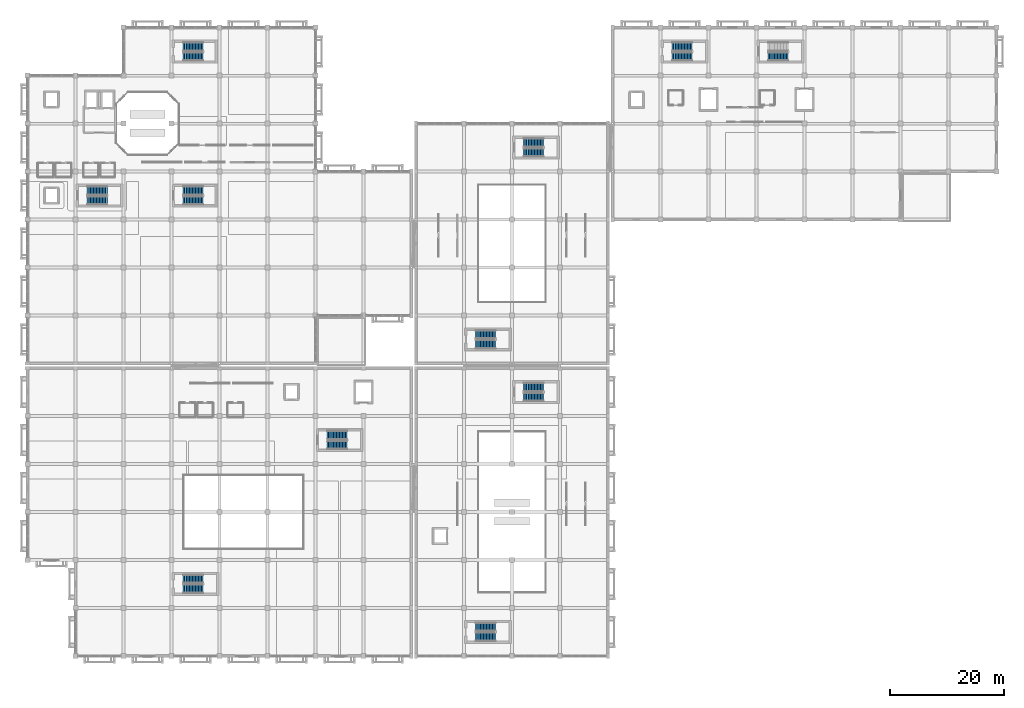
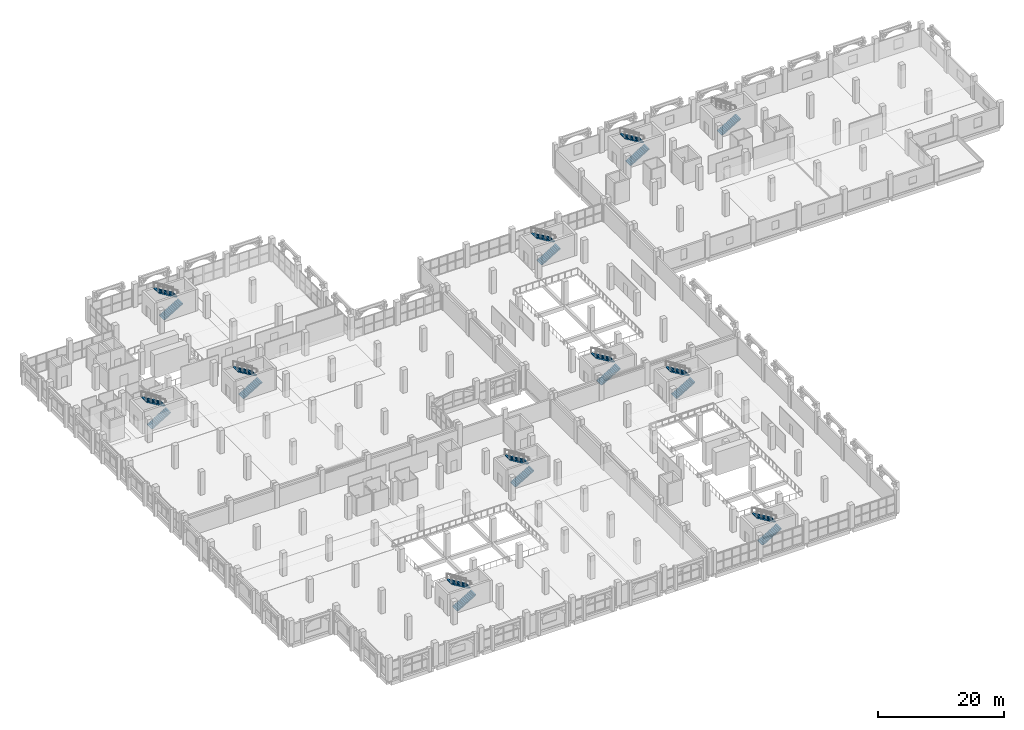
# One storey, part 120 of 137: 21 stair flights, 11 elements without a shape of their own.
"""IFC4 building model written with IfcOpenShell, lengths in metres."""

from ifc_helpers import new_model, si_unit, direction, frame, origin, place, context, subcontext, project, spatial, polyline, outline, extrude, material, type_object, element, aggregate, save


model = new_model("IFC4")

# Units and contexts
model_context = context("Model", 3, precision=1e-05, world=origin(), true_north=direction((0.0, 1.0)))
body_context = subcontext(model_context, "Body", "Model", "MODEL_VIEW")
ifc_project = project(units=[si_unit("LENGTHUNIT", "METRE"), si_unit("AREAUNIT", "SQUARE_METRE"), si_unit("VOLUMEUNIT", "CUBIC_METRE"), si_unit("PLANEANGLEUNIT", "RADIAN"), si_unit("MASSUNIT", "GRAM", prefix="KILO")], contexts=[model_context])

# Site, building, storey
site_placement = place(None, origin())
site = spatial("IfcSite", under=ifc_project, at=site_placement, CompositionType="ELEMENT")
building_placement = place(site_placement, origin())
building = spatial("IfcBuilding", under=site, at=building_placement, Name="Xazarin Passage Department Store", CompositionType="ELEMENT")
storey_placement = place(building_placement, frame((0.0, 0.0, 5.39990234375)))
storey = spatial("IfcBuildingStorey", under=building, at=storey_placement, Name="L01", CompositionType="ELEMENT", Elevation=5.39990234375)

# Stair, stair flights
ifc_material = material(Name="Concrete C35/45", Category="concrete")
stair_type = type_object("IfcStairType", Name="ARC-ST-TYP", PredefinedType="HALF_TURN_STAIR", material=ifc_material)
stair_1_placement = place(storey_placement, origin())
stair_1 = element("IfcStair", 1, at=stair_1_placement, inside=storey, type_object=stair_type, Name="L01 Exit Stair ST1", PredefinedType="HALF_TURN_STAIR")
stair_flight_type = type_object("IfcStairFlightType", Name="ARC-SFL-TYP", PredefinedType="STRAIGHT", material=ifc_material)
stair_flight_1_placement = place(storey_placement, frame((10.43994140625, 79.739990234375, 0.0), z_axis=(0.0, 0.0, 1.0), x_axis=(1.0, 0.0, 0.0)))
stair_flight_1 = element("IfcStairFlight", 2, at=stair_flight_1_placement, type_object=stair_flight_type, Name="ST1 flight 1", NumberOfRisers=14, NumberOfTreads=13, PredefinedType="STRAIGHT", RiserHeight=0.160714286, TreadLength=0.27, context=body_context, shape_type="SweptSolid", body=[
    extrude(outline(polyline([(0.0, 0.0), (0.0, 0.16064453125), (0.27001953125, 0.16064453125), (0.27001953125, 0.321533203125), (0.5400390625, 0.321533203125), (0.5400390625, 0.482177734375), (0.81005859375, 0.482177734375), (0.81005859375, 0.642822265625), (1.080078125, 0.642822265625), (1.080078125, 0.803466796875), (1.35009765625, 0.803466796875), (1.35009765625, 0.96435546875), (1.6201171875, 0.96435546875), (1.6201171875, 1.125), (1.889892578125, 1.125), (1.889892578125, 1.28564453125), (2.159912109375, 1.28564453125), (2.159912109375, 1.446533203125), (2.429931640625, 1.446533203125), (2.429931640625, 1.607177734375), (2.699951171875, 1.607177734375), (2.699951171875, 1.767822265625), (2.969970703125, 1.767822265625), (2.969970703125, 1.928466796875), (3.239990234375, 1.928466796875), (3.239990234375, 2.08935546875), (3.510009765625, 2.08935546875), (3.510009765625, 2.25), (3.510009765625, 1.903076171875), (0.312744140625, 0.0), (0.0, 0.0)])), frame((0.0, 0.760009765625, 0.0), z_axis=(0.0, -1.0, 0.0), x_axis=(1.0, 0.0, 0.0)), (0.0, 0.0, 1.0), 1.52001953125),
])
stair_flight_2_placement = place(storey_placement, frame((13.949951171875, 81.4599609375, 2.25), z_axis=(0.0, 0.0, 1.0), x_axis=(-1.0, 0.0, 0.0)))
stair_flight_2 = element("IfcStairFlight", 3, at=stair_flight_2_placement, type_object=stair_flight_type, Name="ST1 flight 2", NumberOfRisers=14, NumberOfTreads=13, PredefinedType="STRAIGHT", RiserHeight=0.160714286, TreadLength=0.27, context=body_context, shape_type="SweptSolid", body=[
    extrude(outline(polyline([(0.0, 0.0), (0.0, 0.16064453125), (0.27001953125, 0.16064453125), (0.27001953125, 0.321533203125), (0.5400390625, 0.321533203125), (0.5400390625, 0.482177734375), (0.81005859375, 0.482177734375), (0.81005859375, 0.642822265625), (1.080078125, 0.642822265625), (1.080078125, 0.803466796875), (1.35009765625, 0.803466796875), (1.35009765625, 0.96435546875), (1.6201171875, 0.96435546875), (1.6201171875, 1.125), (1.889892578125, 1.125), (1.889892578125, 1.28564453125), (2.159912109375, 1.28564453125), (2.159912109375, 1.446533203125), (2.429931640625, 1.446533203125), (2.429931640625, 1.607177734375), (2.699951171875, 1.607177734375), (2.699951171875, 1.767822265625), (2.969970703125, 1.767822265625), (2.969970703125, 1.928466796875), (3.239990234375, 1.928466796875), (3.239990234375, 2.08935546875), (3.510009765625, 2.08935546875), (3.510009765625, 2.25), (3.510009765625, 1.903076171875), (0.312744140625, 0.0), (0.0, 0.0)])), frame((0.0, 0.760009765625, 0.0), z_axis=(0.0, -1.0, 0.0), x_axis=(1.0, 0.0, 0.0)), (0.0, 0.0, 1.0), 1.52001953125),
])
aggregate(stair_1, [stair_flight_1, stair_flight_2])

stair_2_placement = place(storey_placement, origin())
stair_2 = element("IfcStair", 4, at=stair_2_placement, inside=storey, type_object=stair_type, Name="L01 Exit Stair ST2", PredefinedType="HALF_TURN_STAIR")
stair_flight_3_placement = place(storey_placement, frame((27.239990234375, 104.93994140625, 0.0), z_axis=(0.0, 0.0, 1.0), x_axis=(1.0, 0.0, 0.0)))
stair_flight_3 = element("IfcStairFlight", 5, at=stair_flight_3_placement, type_object=stair_flight_type, Name="ST2 flight 1", NumberOfRisers=14, NumberOfTreads=13, PredefinedType="STRAIGHT", RiserHeight=0.160714286, TreadLength=0.27, context=body_context, shape_type="SweptSolid", body=[
    extrude(outline(polyline([(0.0, 0.0), (0.0, 0.16064453125), (0.27001953125, 0.16064453125), (0.27001953125, 0.321533203125), (0.5400390625, 0.321533203125), (0.5400390625, 0.482177734375), (0.81005859375, 0.482177734375), (0.81005859375, 0.642822265625), (1.080078125, 0.642822265625), (1.080078125, 0.803466796875), (1.35009765625, 0.803466796875), (1.35009765625, 0.96435546875), (1.6201171875, 0.96435546875), (1.6201171875, 1.125), (1.889892578125, 1.125), (1.889892578125, 1.28564453125), (2.159912109375, 1.28564453125), (2.159912109375, 1.446533203125), (2.429931640625, 1.446533203125), (2.429931640625, 1.607177734375), (2.699951171875, 1.607177734375), (2.699951171875, 1.767822265625), (2.969970703125, 1.767822265625), (2.969970703125, 1.928466796875), (3.239990234375, 1.928466796875), (3.239990234375, 2.08935546875), (3.510009765625, 2.08935546875), (3.510009765625, 2.25), (3.510009765625, 1.903076171875), (0.312744140625, 0.0), (0.0, 0.0)])), frame((0.0, 0.760009765625, 0.0), z_axis=(0.0, -1.0, 0.0), x_axis=(1.0, 0.0, 0.0)), (0.0, 0.0, 1.0), 1.52001953125),
])
stair_flight_4_placement = place(storey_placement, frame((30.75, 106.659912109375, 2.25), z_axis=(0.0, 0.0, 1.0), x_axis=(-1.0, 0.0, 0.0)))
stair_flight_4 = element("IfcStairFlight", 6, at=stair_flight_4_placement, type_object=stair_flight_type, Name="ST2 flight 2", NumberOfRisers=14, NumberOfTreads=13, PredefinedType="STRAIGHT", RiserHeight=0.160714286, TreadLength=0.27, context=body_context, shape_type="SweptSolid", body=[
    extrude(outline(polyline([(0.0, 0.0), (0.0, 0.16064453125), (0.27001953125, 0.16064453125), (0.27001953125, 0.321533203125), (0.5400390625, 0.321533203125), (0.5400390625, 0.482177734375), (0.81005859375, 0.482177734375), (0.81005859375, 0.642822265625), (1.080078125, 0.642822265625), (1.080078125, 0.803466796875), (1.35009765625, 0.803466796875), (1.35009765625, 0.96435546875), (1.6201171875, 0.96435546875), (1.6201171875, 1.125), (1.889892578125, 1.125), (1.889892578125, 1.28564453125), (2.159912109375, 1.28564453125), (2.159912109375, 1.446533203125), (2.429931640625, 1.446533203125), (2.429931640625, 1.607177734375), (2.699951171875, 1.607177734375), (2.699951171875, 1.767822265625), (2.969970703125, 1.767822265625), (2.969970703125, 1.928466796875), (3.239990234375, 1.928466796875), (3.239990234375, 2.08935546875), (3.510009765625, 2.08935546875), (3.510009765625, 2.25), (3.510009765625, 1.903076171875), (0.312744140625, 0.0), (0.0, 0.0)])), frame((0.0, 0.760009765625, 0.0), z_axis=(0.0, -1.0, 0.0), x_axis=(1.0, 0.0, 0.0)), (0.0, 0.0, 1.0), 1.52001953125),
])
aggregate(stair_2, [stair_flight_3, stair_flight_4])

stair_3_placement = place(storey_placement, origin())
stair_3 = element("IfcStair", 7, at=stair_3_placement, inside=storey, type_object=stair_type, Name="L01 Exit Stair ST3", PredefinedType="HALF_TURN_STAIR")
stair_flight_5_placement = place(storey_placement, frame((27.239990234375, 79.739990234375, 0.0), z_axis=(0.0, 0.0, 1.0), x_axis=(1.0, 0.0, 0.0)))
stair_flight_5 = element("IfcStairFlight", 8, at=stair_flight_5_placement, type_object=stair_flight_type, Name="ST3 flight 1", NumberOfRisers=14, NumberOfTreads=13, PredefinedType="STRAIGHT", RiserHeight=0.160714286, TreadLength=0.27, context=body_context, shape_type="SweptSolid", body=[
    extrude(outline(polyline([(0.0, 0.0), (0.0, 0.16064453125), (0.27001953125, 0.16064453125), (0.27001953125, 0.321533203125), (0.5400390625, 0.321533203125), (0.5400390625, 0.482177734375), (0.81005859375, 0.482177734375), (0.81005859375, 0.642822265625), (1.080078125, 0.642822265625), (1.080078125, 0.803466796875), (1.35009765625, 0.803466796875), (1.35009765625, 0.96435546875), (1.6201171875, 0.96435546875), (1.6201171875, 1.125), (1.889892578125, 1.125), (1.889892578125, 1.28564453125), (2.159912109375, 1.28564453125), (2.159912109375, 1.446533203125), (2.429931640625, 1.446533203125), (2.429931640625, 1.607177734375), (2.699951171875, 1.607177734375), (2.699951171875, 1.767822265625), (2.969970703125, 1.767822265625), (2.969970703125, 1.928466796875), (3.239990234375, 1.928466796875), (3.239990234375, 2.08935546875), (3.510009765625, 2.08935546875), (3.510009765625, 2.25), (3.510009765625, 1.903076171875), (0.312744140625, 0.0), (0.0, 0.0)])), frame((0.0, 0.760009765625, 0.0), z_axis=(0.0, -1.0, 0.0), x_axis=(1.0, 0.0, 0.0)), (0.0, 0.0, 1.0), 1.52001953125),
])
stair_flight_6_placement = place(storey_placement, frame((30.75, 81.4599609375, 2.25), z_axis=(0.0, 0.0, 1.0), x_axis=(-1.0, 0.0, 0.0)))
stair_flight_6 = element("IfcStairFlight", 9, at=stair_flight_6_placement, type_object=stair_flight_type, Name="ST3 flight 2", NumberOfRisers=14, NumberOfTreads=13, PredefinedType="STRAIGHT", RiserHeight=0.160714286, TreadLength=0.27, context=body_context, shape_type="SweptSolid", body=[
    extrude(outline(polyline([(0.0, 0.0), (0.0, 0.16064453125), (0.27001953125, 0.16064453125), (0.27001953125, 0.321533203125), (0.5400390625, 0.321533203125), (0.5400390625, 0.482177734375), (0.81005859375, 0.482177734375), (0.81005859375, 0.642822265625), (1.080078125, 0.642822265625), (1.080078125, 0.803466796875), (1.35009765625, 0.803466796875), (1.35009765625, 0.96435546875), (1.6201171875, 0.96435546875), (1.6201171875, 1.125), (1.889892578125, 1.125), (1.889892578125, 1.28564453125), (2.159912109375, 1.28564453125), (2.159912109375, 1.446533203125), (2.429931640625, 1.446533203125), (2.429931640625, 1.607177734375), (2.699951171875, 1.607177734375), (2.699951171875, 1.767822265625), (2.969970703125, 1.767822265625), (2.969970703125, 1.928466796875), (3.239990234375, 1.928466796875), (3.239990234375, 2.08935546875), (3.510009765625, 2.08935546875), (3.510009765625, 2.25), (3.510009765625, 1.903076171875), (0.312744140625, 0.0), (0.0, 0.0)])), frame((0.0, 0.760009765625, 0.0), z_axis=(0.0, -1.0, 0.0), x_axis=(1.0, 0.0, 0.0)), (0.0, 0.0, 1.0), 1.52001953125),
])
aggregate(stair_3, [stair_flight_5, stair_flight_6])

stair_4_placement = place(storey_placement, origin())
stair_4 = element("IfcStair", 10, at=stair_4_placement, inside=storey, type_object=stair_type, Name="L01 Exit Stair ST4", PredefinedType="HALF_TURN_STAIR")
stair_flight_7_placement = place(storey_placement, frame((78.43994140625, 3.340087890625, 0.0), z_axis=(0.0, 0.0, 1.0), x_axis=(1.0, 0.0, 0.0)))
stair_flight_7 = element("IfcStairFlight", 11, at=stair_flight_7_placement, type_object=stair_flight_type, Name="ST4 flight 1", NumberOfRisers=14, NumberOfTreads=13, PredefinedType="STRAIGHT", RiserHeight=0.160714286, TreadLength=0.27, context=body_context, shape_type="SweptSolid", body=[
    extrude(outline(polyline([(0.0, 0.0), (0.0, 0.16064453125), (0.27001953125, 0.16064453125), (0.27001953125, 0.321533203125), (0.5400390625, 0.321533203125), (0.5400390625, 0.482177734375), (0.81005859375, 0.482177734375), (0.81005859375, 0.642822265625), (1.080078125, 0.642822265625), (1.080078125, 0.803466796875), (1.35009765625, 0.803466796875), (1.35009765625, 0.96435546875), (1.6201171875, 0.96435546875), (1.6201171875, 1.125), (1.889892578125, 1.125), (1.889892578125, 1.28564453125), (2.159912109375, 1.28564453125), (2.159912109375, 1.446533203125), (2.429931640625, 1.446533203125), (2.429931640625, 1.607177734375), (2.699951171875, 1.607177734375), (2.699951171875, 1.767822265625), (2.969970703125, 1.767822265625), (2.969970703125, 1.928466796875), (3.239990234375, 1.928466796875), (3.239990234375, 2.08935546875), (3.510009765625, 2.08935546875), (3.510009765625, 2.25), (3.510009765625, 1.903076171875), (0.312744140625, 0.0), (0.0, 0.0)])), frame((0.0, 0.760009765625, 0.0), z_axis=(0.0, -1.0, 0.0), x_axis=(1.0, 0.0, 0.0)), (0.0, 0.0, 1.0), 1.52001953125),
])
stair_flight_8_placement = place(storey_placement, frame((81.949951171875, 5.06005859375, 2.25), z_axis=(0.0, 0.0, 1.0), x_axis=(-1.0, 0.0, 0.0)))
stair_flight_8 = element("IfcStairFlight", 12, at=stair_flight_8_placement, type_object=stair_flight_type, Name="ST4 flight 2", NumberOfRisers=14, NumberOfTreads=13, PredefinedType="STRAIGHT", RiserHeight=0.160714286, TreadLength=0.27, context=body_context, shape_type="SweptSolid", body=[
    extrude(outline(polyline([(0.0, 0.0), (0.0, 0.16064453125), (0.27001953125, 0.16064453125), (0.27001953125, 0.321533203125), (0.5400390625, 0.321533203125), (0.5400390625, 0.482177734375), (0.81005859375, 0.482177734375), (0.81005859375, 0.642822265625), (1.080078125, 0.642822265625), (1.080078125, 0.803466796875), (1.35009765625, 0.803466796875), (1.35009765625, 0.96435546875), (1.6201171875, 0.96435546875), (1.6201171875, 1.125), (1.889892578125, 1.125), (1.889892578125, 1.28564453125), (2.159912109375, 1.28564453125), (2.159912109375, 1.446533203125), (2.429931640625, 1.446533203125), (2.429931640625, 1.607177734375), (2.699951171875, 1.607177734375), (2.699951171875, 1.767822265625), (2.969970703125, 1.767822265625), (2.969970703125, 1.928466796875), (3.239990234375, 1.928466796875), (3.239990234375, 2.08935546875), (3.510009765625, 2.08935546875), (3.510009765625, 2.25), (3.510009765625, 1.903076171875), (0.312744140625, 0.0), (0.0, 0.0)])), frame((0.0, 0.760009765625, 0.0), z_axis=(0.0, -1.0, 0.0), x_axis=(1.0, 0.0, 0.0)), (0.0, 0.0, 1.0), 1.52001953125),
])
aggregate(stair_4, [stair_flight_7, stair_flight_8])

stair_5_placement = place(storey_placement, origin())
stair_5 = element("IfcStair", 13, at=stair_5_placement, inside=storey, type_object=stair_type, Name="L01 Exit Stair ST5", PredefinedType="HALF_TURN_STAIR")
stair_flight_9_placement = place(storey_placement, frame((86.840087890625, 45.340087890625, 0.0), z_axis=(0.0, 0.0, 1.0), x_axis=(1.0, 0.0, 0.0)))
stair_flight_9 = element("IfcStairFlight", 14, at=stair_flight_9_placement, type_object=stair_flight_type, Name="ST5 flight 1", NumberOfRisers=14, NumberOfTreads=13, PredefinedType="STRAIGHT", RiserHeight=0.160714286, TreadLength=0.27, context=body_context, shape_type="SweptSolid", body=[
    extrude(outline(polyline([(0.0, 0.0), (0.0, 0.16064453125), (0.27001953125, 0.16064453125), (0.27001953125, 0.321533203125), (0.5400390625, 0.321533203125), (0.5400390625, 0.482177734375), (0.81005859375, 0.482177734375), (0.81005859375, 0.642822265625), (1.080078125, 0.642822265625), (1.080078125, 0.803466796875), (1.35009765625, 0.803466796875), (1.35009765625, 0.96435546875), (1.6201171875, 0.96435546875), (1.6201171875, 1.125), (1.889892578125, 1.125), (1.889892578125, 1.28564453125), (2.159912109375, 1.28564453125), (2.159912109375, 1.446533203125), (2.429931640625, 1.446533203125), (2.429931640625, 1.607177734375), (2.699951171875, 1.607177734375), (2.699951171875, 1.767822265625), (2.969970703125, 1.767822265625), (2.969970703125, 1.928466796875), (3.239990234375, 1.928466796875), (3.239990234375, 2.08935546875), (3.510009765625, 2.08935546875), (3.510009765625, 2.25), (3.510009765625, 1.903076171875), (0.312744140625, 0.0), (0.0, 0.0)])), frame((0.0, 0.760009765625, 0.0), z_axis=(0.0, -1.0, 0.0), x_axis=(1.0, 0.0, 0.0)), (0.0, 0.0, 1.0), 1.52001953125),
])
stair_flight_10_placement = place(storey_placement, frame((90.35009765625, 47.06005859375, 2.25), z_axis=(0.0, 0.0, 1.0), x_axis=(-1.0, 0.0, 0.0)))
stair_flight_10 = element("IfcStairFlight", 15, at=stair_flight_10_placement, type_object=stair_flight_type, Name="ST5 flight 2", NumberOfRisers=14, NumberOfTreads=13, PredefinedType="STRAIGHT", RiserHeight=0.160714286, TreadLength=0.27, context=body_context, shape_type="SweptSolid", body=[
    extrude(outline(polyline([(0.0, 0.0), (0.0, 0.16064453125), (0.27001953125, 0.16064453125), (0.27001953125, 0.321533203125), (0.5400390625, 0.321533203125), (0.5400390625, 0.482177734375), (0.81005859375, 0.482177734375), (0.81005859375, 0.642822265625), (1.080078125, 0.642822265625), (1.080078125, 0.803466796875), (1.35009765625, 0.803466796875), (1.35009765625, 0.96435546875), (1.6201171875, 0.96435546875), (1.6201171875, 1.125), (1.889892578125, 1.125), (1.889892578125, 1.28564453125), (2.159912109375, 1.28564453125), (2.159912109375, 1.446533203125), (2.429931640625, 1.446533203125), (2.429931640625, 1.607177734375), (2.699951171875, 1.607177734375), (2.699951171875, 1.767822265625), (2.969970703125, 1.767822265625), (2.969970703125, 1.928466796875), (3.239990234375, 1.928466796875), (3.239990234375, 2.08935546875), (3.510009765625, 2.08935546875), (3.510009765625, 2.25), (3.510009765625, 1.903076171875), (0.312744140625, 0.0), (0.0, 0.0)])), frame((0.0, 0.760009765625, 0.0), z_axis=(0.0, -1.0, 0.0), x_axis=(1.0, 0.0, 0.0)), (0.0, 0.0, 1.0), 1.52001953125),
])
aggregate(stair_5, [stair_flight_9, stair_flight_10])

stair_6_placement = place(storey_placement, origin())
stair_6 = element("IfcStair", 16, at=stair_6_placement, inside=storey, type_object=stair_type, Name="L01 Exit Stair ST6", PredefinedType="HALF_TURN_STAIR")
stair_flight_11_placement = place(storey_placement, frame((78.43994140625, 54.5400390625, 0.0), z_axis=(0.0, 0.0, 1.0), x_axis=(1.0, 0.0, 0.0)))
stair_flight_11 = element("IfcStairFlight", 17, at=stair_flight_11_placement, type_object=stair_flight_type, Name="ST6 flight 1", NumberOfRisers=14, NumberOfTreads=13, PredefinedType="STRAIGHT", RiserHeight=0.160714286, TreadLength=0.27, context=body_context, shape_type="SweptSolid", body=[
    extrude(outline(polyline([(0.0, 0.0), (0.0, 0.16064453125), (0.27001953125, 0.16064453125), (0.27001953125, 0.321533203125), (0.5400390625, 0.321533203125), (0.5400390625, 0.482177734375), (0.81005859375, 0.482177734375), (0.81005859375, 0.642822265625), (1.080078125, 0.642822265625), (1.080078125, 0.803466796875), (1.35009765625, 0.803466796875), (1.35009765625, 0.96435546875), (1.6201171875, 0.96435546875), (1.6201171875, 1.125), (1.889892578125, 1.125), (1.889892578125, 1.28564453125), (2.159912109375, 1.28564453125), (2.159912109375, 1.446533203125), (2.429931640625, 1.446533203125), (2.429931640625, 1.607177734375), (2.699951171875, 1.607177734375), (2.699951171875, 1.767822265625), (2.969970703125, 1.767822265625), (2.969970703125, 1.928466796875), (3.239990234375, 1.928466796875), (3.239990234375, 2.08935546875), (3.510009765625, 2.08935546875), (3.510009765625, 2.25), (3.510009765625, 1.903076171875), (0.312744140625, 0.0), (0.0, 0.0)])), frame((0.0, 0.760009765625, 0.0), z_axis=(0.0, -1.0, 0.0), x_axis=(1.0, 0.0, 0.0)), (0.0, 0.0, 1.0), 1.52001953125),
])
stair_flight_12_placement = place(storey_placement, frame((81.949951171875, 56.260009765625, 2.25), z_axis=(0.0, 0.0, 1.0), x_axis=(-1.0, 0.0, 0.0)))
stair_flight_12 = element("IfcStairFlight", 18, at=stair_flight_12_placement, type_object=stair_flight_type, Name="ST6 flight 2", NumberOfRisers=14, NumberOfTreads=13, PredefinedType="STRAIGHT", RiserHeight=0.160714286, TreadLength=0.27, context=body_context, shape_type="SweptSolid", body=[
    extrude(outline(polyline([(0.0, 0.0), (0.0, 0.16064453125), (0.27001953125, 0.16064453125), (0.27001953125, 0.321533203125), (0.5400390625, 0.321533203125), (0.5400390625, 0.482177734375), (0.81005859375, 0.482177734375), (0.81005859375, 0.642822265625), (1.080078125, 0.642822265625), (1.080078125, 0.803466796875), (1.35009765625, 0.803466796875), (1.35009765625, 0.96435546875), (1.6201171875, 0.96435546875), (1.6201171875, 1.125), (1.889892578125, 1.125), (1.889892578125, 1.28564453125), (2.159912109375, 1.28564453125), (2.159912109375, 1.446533203125), (2.429931640625, 1.446533203125), (2.429931640625, 1.607177734375), (2.699951171875, 1.607177734375), (2.699951171875, 1.767822265625), (2.969970703125, 1.767822265625), (2.969970703125, 1.928466796875), (3.239990234375, 1.928466796875), (3.239990234375, 2.08935546875), (3.510009765625, 2.08935546875), (3.510009765625, 2.25), (3.510009765625, 1.903076171875), (0.312744140625, 0.0), (0.0, 0.0)])), frame((0.0, 0.760009765625, 0.0), z_axis=(0.0, -1.0, 0.0), x_axis=(1.0, 0.0, 0.0)), (0.0, 0.0, 1.0), 1.52001953125),
])
aggregate(stair_6, [stair_flight_11, stair_flight_12])

stair_7_placement = place(storey_placement, origin())
stair_7 = element("IfcStair", 19, at=stair_7_placement, inside=storey, type_object=stair_type, Name="L01 Exit Stair ST7", PredefinedType="HALF_TURN_STAIR")
stair_flight_13_placement = place(storey_placement, frame((86.840087890625, 88.139892578125, 0.0), z_axis=(0.0, 0.0, 1.0), x_axis=(1.0, 0.0, 0.0)))
stair_flight_13 = element("IfcStairFlight", 20, at=stair_flight_13_placement, type_object=stair_flight_type, Name="ST7 flight 1", NumberOfRisers=14, NumberOfTreads=13, PredefinedType="STRAIGHT", RiserHeight=0.160714286, TreadLength=0.27, context=body_context, shape_type="SweptSolid", body=[
    extrude(outline(polyline([(0.0, 0.0), (0.0, 0.16064453125), (0.27001953125, 0.16064453125), (0.27001953125, 0.321533203125), (0.5400390625, 0.321533203125), (0.5400390625, 0.482177734375), (0.81005859375, 0.482177734375), (0.81005859375, 0.642822265625), (1.080078125, 0.642822265625), (1.080078125, 0.803466796875), (1.35009765625, 0.803466796875), (1.35009765625, 0.96435546875), (1.6201171875, 0.96435546875), (1.6201171875, 1.125), (1.889892578125, 1.125), (1.889892578125, 1.28564453125), (2.159912109375, 1.28564453125), (2.159912109375, 1.446533203125), (2.429931640625, 1.446533203125), (2.429931640625, 1.607177734375), (2.699951171875, 1.607177734375), (2.699951171875, 1.767822265625), (2.969970703125, 1.767822265625), (2.969970703125, 1.928466796875), (3.239990234375, 1.928466796875), (3.239990234375, 2.08935546875), (3.510009765625, 2.08935546875), (3.510009765625, 2.25), (3.510009765625, 1.903076171875), (0.312744140625, 0.0), (0.0, 0.0)])), frame((0.0, 0.760009765625, 0.0), z_axis=(0.0, -1.0, 0.0), x_axis=(1.0, 0.0, 0.0)), (0.0, 0.0, 1.0), 1.52001953125),
])
stair_flight_14_placement = place(storey_placement, frame((90.35009765625, 89.860107421875, 2.25), z_axis=(0.0, 0.0, 1.0), x_axis=(-1.0, 0.0, 0.0)))
stair_flight_14 = element("IfcStairFlight", 21, at=stair_flight_14_placement, type_object=stair_flight_type, Name="ST7 flight 2", NumberOfRisers=14, NumberOfTreads=13, PredefinedType="STRAIGHT", RiserHeight=0.160714286, TreadLength=0.27, context=body_context, shape_type="SweptSolid", body=[
    extrude(outline(polyline([(0.0, 0.0), (0.0, 0.16064453125), (0.27001953125, 0.16064453125), (0.27001953125, 0.321533203125), (0.5400390625, 0.321533203125), (0.5400390625, 0.482177734375), (0.81005859375, 0.482177734375), (0.81005859375, 0.642822265625), (1.080078125, 0.642822265625), (1.080078125, 0.803466796875), (1.35009765625, 0.803466796875), (1.35009765625, 0.96435546875), (1.6201171875, 0.96435546875), (1.6201171875, 1.125), (1.889892578125, 1.125), (1.889892578125, 1.28564453125), (2.159912109375, 1.28564453125), (2.159912109375, 1.446533203125), (2.429931640625, 1.446533203125), (2.429931640625, 1.607177734375), (2.699951171875, 1.607177734375), (2.699951171875, 1.767822265625), (2.969970703125, 1.767822265625), (2.969970703125, 1.928466796875), (3.239990234375, 1.928466796875), (3.239990234375, 2.08935546875), (3.510009765625, 2.08935546875), (3.510009765625, 2.25), (3.510009765625, 1.903076171875), (0.312744140625, 0.0), (0.0, 0.0)])), frame((0.0, 0.760009765625, 0.0), z_axis=(0.0, -1.0, 0.0), x_axis=(1.0, 0.0, 0.0)), (0.0, 0.0, 1.0), 1.52001953125),
])
aggregate(stair_7, [stair_flight_13, stair_flight_14])

stair_8_placement = place(storey_placement, origin())
stair_8 = element("IfcStair", 22, at=stair_8_placement, inside=storey, type_object=stair_type, Name="L01 Exit Stair ST8", PredefinedType="HALF_TURN_STAIR")
stair_flight_15_placement = place(storey_placement, frame((27.239990234375, 11.739990234375, 0.0), z_axis=(0.0, 0.0, 1.0), x_axis=(1.0, 0.0, 0.0)))
stair_flight_15 = element("IfcStairFlight", 23, at=stair_flight_15_placement, type_object=stair_flight_type, Name="ST8 flight 1", NumberOfRisers=14, NumberOfTreads=13, PredefinedType="STRAIGHT", RiserHeight=0.160714286, TreadLength=0.27, context=body_context, shape_type="SweptSolid", body=[
    extrude(outline(polyline([(0.0, 0.0), (0.0, 0.16064453125), (0.27001953125, 0.16064453125), (0.27001953125, 0.321533203125), (0.5400390625, 0.321533203125), (0.5400390625, 0.482177734375), (0.81005859375, 0.482177734375), (0.81005859375, 0.642822265625), (1.080078125, 0.642822265625), (1.080078125, 0.803466796875), (1.35009765625, 0.803466796875), (1.35009765625, 0.96435546875), (1.6201171875, 0.96435546875), (1.6201171875, 1.125), (1.889892578125, 1.125), (1.889892578125, 1.28564453125), (2.159912109375, 1.28564453125), (2.159912109375, 1.446533203125), (2.429931640625, 1.446533203125), (2.429931640625, 1.607177734375), (2.699951171875, 1.607177734375), (2.699951171875, 1.767822265625), (2.969970703125, 1.767822265625), (2.969970703125, 1.928466796875), (3.239990234375, 1.928466796875), (3.239990234375, 2.08935546875), (3.510009765625, 2.08935546875), (3.510009765625, 2.25), (3.510009765625, 1.903076171875), (0.312744140625, 0.0), (0.0, 0.0)])), frame((0.0, 0.760009765625, 0.0), z_axis=(0.0, -1.0, 0.0), x_axis=(1.0, 0.0, 0.0)), (0.0, 0.0, 1.0), 1.52001953125),
])
stair_flight_16_placement = place(storey_placement, frame((30.75, 13.4599609375, 2.25), z_axis=(0.0, 0.0, 1.0), x_axis=(-1.0, 0.0, 0.0)))
stair_flight_16 = element("IfcStairFlight", 24, at=stair_flight_16_placement, type_object=stair_flight_type, Name="ST8 flight 2", NumberOfRisers=14, NumberOfTreads=13, PredefinedType="STRAIGHT", RiserHeight=0.160714286, TreadLength=0.27, context=body_context, shape_type="SweptSolid", body=[
    extrude(outline(polyline([(0.0, 0.0), (0.0, 0.16064453125), (0.27001953125, 0.16064453125), (0.27001953125, 0.321533203125), (0.5400390625, 0.321533203125), (0.5400390625, 0.482177734375), (0.81005859375, 0.482177734375), (0.81005859375, 0.642822265625), (1.080078125, 0.642822265625), (1.080078125, 0.803466796875), (1.35009765625, 0.803466796875), (1.35009765625, 0.96435546875), (1.6201171875, 0.96435546875), (1.6201171875, 1.125), (1.889892578125, 1.125), (1.889892578125, 1.28564453125), (2.159912109375, 1.28564453125), (2.159912109375, 1.446533203125), (2.429931640625, 1.446533203125), (2.429931640625, 1.607177734375), (2.699951171875, 1.607177734375), (2.699951171875, 1.767822265625), (2.969970703125, 1.767822265625), (2.969970703125, 1.928466796875), (3.239990234375, 1.928466796875), (3.239990234375, 2.08935546875), (3.510009765625, 2.08935546875), (3.510009765625, 2.25), (3.510009765625, 1.903076171875), (0.312744140625, 0.0), (0.0, 0.0)])), frame((0.0, 0.760009765625, 0.0), z_axis=(0.0, -1.0, 0.0), x_axis=(1.0, 0.0, 0.0)), (0.0, 0.0, 1.0), 1.52001953125),
])
aggregate(stair_8, [stair_flight_15, stair_flight_16])

stair_9_placement = place(storey_placement, origin())
stair_9 = element("IfcStair", 25, at=stair_9_placement, inside=storey, type_object=stair_type, Name="L01 Exit Stair ST9", PredefinedType="HALF_TURN_STAIR")
stair_flight_17_placement = place(storey_placement, frame((52.43994140625, 36.93994140625, 0.0), z_axis=(0.0, 0.0, 1.0), x_axis=(1.0, 0.0, 0.0)))
stair_flight_17 = element("IfcStairFlight", 26, at=stair_flight_17_placement, type_object=stair_flight_type, Name="ST9 flight 1", NumberOfRisers=14, NumberOfTreads=13, PredefinedType="STRAIGHT", RiserHeight=0.160714286, TreadLength=0.27, context=body_context, shape_type="SweptSolid", body=[
    extrude(outline(polyline([(0.0, 0.0), (0.0, 0.16064453125), (0.27001953125, 0.16064453125), (0.27001953125, 0.321533203125), (0.5400390625, 0.321533203125), (0.5400390625, 0.482177734375), (0.81005859375, 0.482177734375), (0.81005859375, 0.642822265625), (1.080078125, 0.642822265625), (1.080078125, 0.803466796875), (1.35009765625, 0.803466796875), (1.35009765625, 0.96435546875), (1.6201171875, 0.96435546875), (1.6201171875, 1.125), (1.889892578125, 1.125), (1.889892578125, 1.28564453125), (2.159912109375, 1.28564453125), (2.159912109375, 1.446533203125), (2.429931640625, 1.446533203125), (2.429931640625, 1.607177734375), (2.699951171875, 1.607177734375), (2.699951171875, 1.767822265625), (2.969970703125, 1.767822265625), (2.969970703125, 1.928466796875), (3.239990234375, 1.928466796875), (3.239990234375, 2.08935546875), (3.510009765625, 2.08935546875), (3.510009765625, 2.25), (3.510009765625, 1.903076171875), (0.312744140625, 0.0), (0.0, 0.0)])), frame((0.0, 0.760009765625, 0.0), z_axis=(0.0, -1.0, 0.0), x_axis=(1.0, 0.0, 0.0)), (0.0, 0.0, 1.0), 1.52001953125),
])
stair_flight_18_placement = place(storey_placement, frame((55.949951171875, 38.659912109375, 2.25), z_axis=(0.0, 0.0, 1.0), x_axis=(-1.0, 0.0, 0.0)))
stair_flight_18 = element("IfcStairFlight", 27, at=stair_flight_18_placement, type_object=stair_flight_type, Name="ST9 flight 2", NumberOfRisers=14, NumberOfTreads=13, PredefinedType="STRAIGHT", RiserHeight=0.160714286, TreadLength=0.27, context=body_context, shape_type="SweptSolid", body=[
    extrude(outline(polyline([(0.0, 0.0), (0.0, 0.16064453125), (0.27001953125, 0.16064453125), (0.27001953125, 0.321533203125), (0.5400390625, 0.321533203125), (0.5400390625, 0.482177734375), (0.81005859375, 0.482177734375), (0.81005859375, 0.642822265625), (1.080078125, 0.642822265625), (1.080078125, 0.803466796875), (1.35009765625, 0.803466796875), (1.35009765625, 0.96435546875), (1.6201171875, 0.96435546875), (1.6201171875, 1.125), (1.889892578125, 1.125), (1.889892578125, 1.28564453125), (2.159912109375, 1.28564453125), (2.159912109375, 1.446533203125), (2.429931640625, 1.446533203125), (2.429931640625, 1.607177734375), (2.699951171875, 1.607177734375), (2.699951171875, 1.767822265625), (2.969970703125, 1.767822265625), (2.969970703125, 1.928466796875), (3.239990234375, 1.928466796875), (3.239990234375, 2.08935546875), (3.510009765625, 2.08935546875), (3.510009765625, 2.25), (3.510009765625, 1.903076171875), (0.312744140625, 0.0), (0.0, 0.0)])), frame((0.0, 0.760009765625, 0.0), z_axis=(0.0, -1.0, 0.0), x_axis=(1.0, 0.0, 0.0)), (0.0, 0.0, 1.0), 1.52001953125),
])
aggregate(stair_9, [stair_flight_17, stair_flight_18])

stair_10_placement = place(storey_placement, origin())
stair_10 = element("IfcStair", 28, at=stair_10_placement, inside=storey, type_object=stair_type, Name="L01 Exit Stair ST10", PredefinedType="HALF_TURN_STAIR")
stair_flight_19_placement = place(storey_placement, frame((112.840087890625, 104.93994140625, 0.0), z_axis=(0.0, 0.0, 1.0), x_axis=(1.0, 0.0, 0.0)))
stair_flight_19 = element("IfcStairFlight", 29, at=stair_flight_19_placement, type_object=stair_flight_type, Name="ST10 flight 1", NumberOfRisers=14, NumberOfTreads=13, PredefinedType="STRAIGHT", RiserHeight=0.160714286, TreadLength=0.27, context=body_context, shape_type="SweptSolid", body=[
    extrude(outline(polyline([(0.0, 0.0), (0.0, 0.16064453125), (0.27001953125, 0.16064453125), (0.27001953125, 0.321533203125), (0.5400390625, 0.321533203125), (0.5400390625, 0.482177734375), (0.81005859375, 0.482177734375), (0.81005859375, 0.642822265625), (1.080078125, 0.642822265625), (1.080078125, 0.803466796875), (1.35009765625, 0.803466796875), (1.35009765625, 0.96435546875), (1.6201171875, 0.96435546875), (1.6201171875, 1.125), (1.889892578125, 1.125), (1.889892578125, 1.28564453125), (2.159912109375, 1.28564453125), (2.159912109375, 1.446533203125), (2.429931640625, 1.446533203125), (2.429931640625, 1.607177734375), (2.699951171875, 1.607177734375), (2.699951171875, 1.767822265625), (2.969970703125, 1.767822265625), (2.969970703125, 1.928466796875), (3.239990234375, 1.928466796875), (3.239990234375, 2.08935546875), (3.510009765625, 2.08935546875), (3.510009765625, 2.25), (3.510009765625, 1.903076171875), (0.312744140625, 0.0), (0.0, 0.0)])), frame((0.0, 0.760009765625, 0.0), z_axis=(0.0, -1.0, 0.0), x_axis=(1.0, 0.0, 0.0)), (0.0, 0.0, 1.0), 1.52001953125),
])
stair_flight_20_placement = place(storey_placement, frame((116.35009765625, 106.659912109375, 2.25), z_axis=(0.0, 0.0, 1.0), x_axis=(-1.0, 0.0, 0.0)))
stair_flight_20 = element("IfcStairFlight", 30, at=stair_flight_20_placement, type_object=stair_flight_type, Name="ST10 flight 2", NumberOfRisers=14, NumberOfTreads=13, PredefinedType="STRAIGHT", RiserHeight=0.160714286, TreadLength=0.27, context=body_context, shape_type="SweptSolid", body=[
    extrude(outline(polyline([(0.0, 0.0), (0.0, 0.16064453125), (0.27001953125, 0.16064453125), (0.27001953125, 0.321533203125), (0.5400390625, 0.321533203125), (0.5400390625, 0.482177734375), (0.81005859375, 0.482177734375), (0.81005859375, 0.642822265625), (1.080078125, 0.642822265625), (1.080078125, 0.803466796875), (1.35009765625, 0.803466796875), (1.35009765625, 0.96435546875), (1.6201171875, 0.96435546875), (1.6201171875, 1.125), (1.889892578125, 1.125), (1.889892578125, 1.28564453125), (2.159912109375, 1.28564453125), (2.159912109375, 1.446533203125), (2.429931640625, 1.446533203125), (2.429931640625, 1.607177734375), (2.699951171875, 1.607177734375), (2.699951171875, 1.767822265625), (2.969970703125, 1.767822265625), (2.969970703125, 1.928466796875), (3.239990234375, 1.928466796875), (3.239990234375, 2.08935546875), (3.510009765625, 2.08935546875), (3.510009765625, 2.25), (3.510009765625, 1.903076171875), (0.312744140625, 0.0), (0.0, 0.0)])), frame((0.0, 0.760009765625, 0.0), z_axis=(0.0, -1.0, 0.0), x_axis=(1.0, 0.0, 0.0)), (0.0, 0.0, 1.0), 1.52001953125),
])
aggregate(stair_10, [stair_flight_19, stair_flight_20])

# Stair, stair flight
stair_11_placement = place(storey_placement, origin())
stair_11 = element("IfcStair", 31, at=stair_11_placement, inside=storey, type_object=stair_type, Name="L01 Exit Stair ST11", PredefinedType="HALF_TURN_STAIR")
stair_flight_21_placement = place(storey_placement, frame((129.639892578125, 104.93994140625, 0.0), z_axis=(0.0, 0.0, 1.0), x_axis=(1.0, 0.0, 0.0)))
stair_flight_21 = element("IfcStairFlight", 32, at=stair_flight_21_placement, type_object=stair_flight_type, Name="ST11 flight 1", NumberOfRisers=14, NumberOfTreads=13, PredefinedType="STRAIGHT", RiserHeight=0.160714286, TreadLength=0.27, context=body_context, shape_type="SweptSolid", body=[
    extrude(outline(polyline([(0.0, 0.0), (0.0, 0.16064453125), (0.27001953125, 0.16064453125), (0.27001953125, 0.321533203125), (0.5400390625, 0.321533203125), (0.5400390625, 0.482177734375), (0.81005859375, 0.482177734375), (0.81005859375, 0.642822265625), (1.080078125, 0.642822265625), (1.080078125, 0.803466796875), (1.35009765625, 0.803466796875), (1.35009765625, 0.96435546875), (1.6201171875, 0.96435546875), (1.6201171875, 1.125), (1.889892578125, 1.125), (1.889892578125, 1.28564453125), (2.159912109375, 1.28564453125), (2.159912109375, 1.446533203125), (2.429931640625, 1.446533203125), (2.429931640625, 1.607177734375), (2.699951171875, 1.607177734375), (2.699951171875, 1.767822265625), (2.969970703125, 1.767822265625), (2.969970703125, 1.928466796875), (3.239990234375, 1.928466796875), (3.239990234375, 2.08935546875), (3.510009765625, 2.08935546875), (3.510009765625, 2.25), (3.510009765625, 1.903076171875), (0.312744140625, 0.0), (0.0, 0.0)])), frame((0.0, 0.760009765625, 0.0), z_axis=(0.0, -1.0, 0.0), x_axis=(1.0, 0.0, 0.0)), (0.0, 0.0, 1.0), 1.52001953125),
])
aggregate(stair_11, [stair_flight_21])

save(model, "model.ifc")
